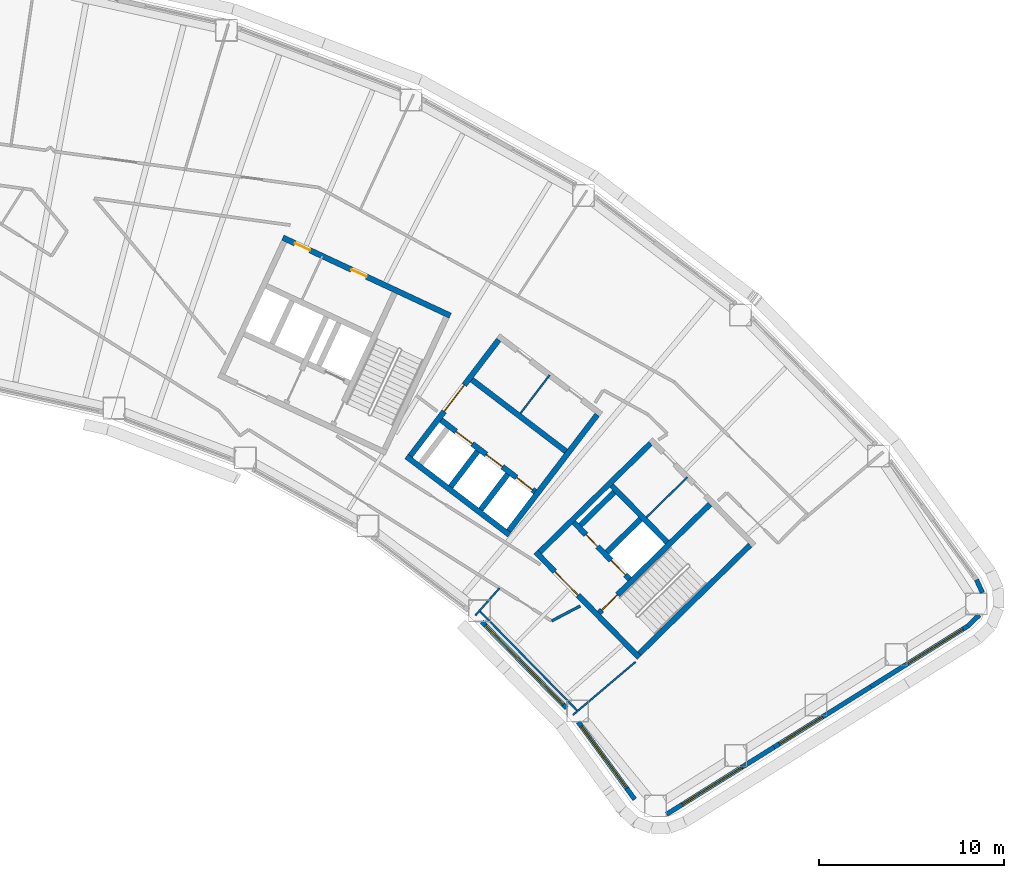
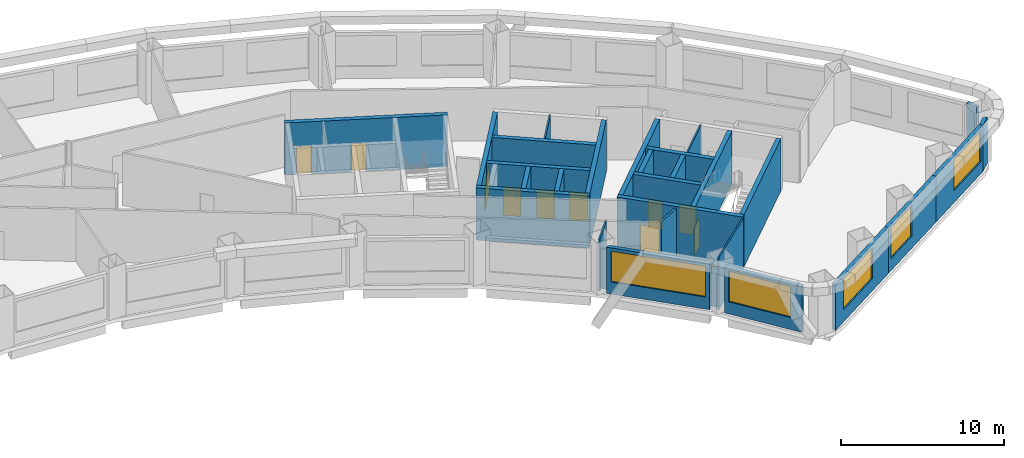
# One storey, part 6 of 10: 29 walls, 10 doors, 5 windows, 15 openings.
"""IFC4 building model written with IfcOpenShell, lengths in metres."""

from ifc_helpers import new_model, si_unit, direction, frame, frame_2d, origin, place, context, subcontext, project, spatial, rectangle, extrude, material, layer, layer_set, type_object, element, fill, save


model = new_model("IFC4")

# Units and contexts
model_context = context("Model", 3, precision=1e-05, world=origin(), true_north=direction((0.0, 1.0)))
body_context = subcontext(model_context, "Body", "Model", "MODEL_VIEW")
ifc_project = project(units=[si_unit("LENGTHUNIT", "METRE"), si_unit("AREAUNIT", "SQUARE_METRE"), si_unit("VOLUMEUNIT", "CUBIC_METRE"), si_unit("PLANEANGLEUNIT", "RADIAN"), si_unit("MASSUNIT", "GRAM", prefix="KILO")], contexts=[model_context])

# Site, building, storey
site_placement = place(None, origin())
site = spatial("IfcSite", under=ifc_project, at=site_placement, CompositionType="ELEMENT")
building_placement = place(site_placement, origin())
building = spatial("IfcBuilding", under=site, at=building_placement, Name="Tuul Gate Civic Tower", CompositionType="ELEMENT")
storey_placement = place(building_placement, frame((0.0, 0.0, 86.39990234375)))
storey = spatial("IfcBuildingStorey", under=building, at=storey_placement, Name="Level 19", CompositionType="ELEMENT", Elevation=86.39990234375)

# Wall, opening, door
ifc_material_1 = material(Name="Concrete C50/60", Category="concrete")
ifc_layer_1 = layer(ifc_material_1, 0.300048828125)
ifc_layer_set_1 = layer_set([ifc_layer_1], Name="Concrete C50/60")
wall_type_1 = type_object("IfcWallType", Name="Core wall C50/60", PredefinedType="SHEAR", material=ifc_layer_set_1)
wall_1_placement = place(storey_placement, frame((48.22509765625, -18.327880859375, 0.0), z_axis=(0.0, 0.0, 1.0), x_axis=(-0.700021979774, 0.714121297703, 0.0)))
wall_1 = element("IfcWall", 1, at=wall_1_placement, inside=storey, type_object=wall_type_1, Name="Core wall", PredefinedType="SHEAR", context=body_context, shape_type="SweptSolid", body=[
    extrude(rectangle(XDim=8.0, YDim=0.300048828125, at=frame_2d((4.0, 0.0))), origin(), (0.0, 0.0, 1.0), 3.900146484375),
])
opening_1_placement = place(wall_1_placement, frame((4.72509765625, 0.0, 0.0)))
opening_1 = element("IfcOpeningElement", 2, at=opening_1_placement, cuts=wall_1, Name="Opening LB-E1-LOBBY-1", PredefinedType="OPENING", context=body_context, shape_type="SweptSolid", body=[
    extrude(rectangle(XDim=1.800048828125, YDim=2.10009765625, at=frame_2d((0.89990234375, 1.050048828125))), frame((0.0, 0.16015625, 0.0), z_axis=(0.0, -1.0, 0.0), x_axis=(1.0, 0.0, 0.0)), (0.0, 0.0, 1.0), 0.320068359375),
])
ifc_material_2 = material(Name="Steel", Category="steel")
door_type_1 = type_object("IfcDoorType", Name="Lobby door", OperationType="DOUBLE_DOOR_SINGLE_SWING", PredefinedType="DOOR", material=ifc_material_2)
door_1_placement = place(opening_1_placement, frame((1.800048828125, 0.0, 0.0), z_axis=(0.0, 0.0, 1.0), x_axis=(-1.0, 0.0, 0.0)))
door_1 = element("IfcDoor", 3, at=door_1_placement, inside=storey, type_object=door_type_1, Name="Lobby door E1-LOBBY", OperationType="DOUBLE_DOOR_SINGLE_SWING", OverallHeight=2.10009765625, OverallWidth=1.800048828125, PredefinedType="DOOR", context=body_context, shape_type="SweptSolid", body=[
    extrude(rectangle(XDim=1.800048828125, YDim=2.10009765625, at=frame_2d((0.900146484375, 1.050048828125))), frame((0.0, 0.02490234375, 0.0), z_axis=(0.0, -1.0, 0.0), x_axis=(1.0, 0.0, 0.0)), (0.0, 0.0, 1.0), 0.050048828125),
])
fill(opening_1, door_1)

# Wall, openings, doors
wall_2_placement = place(storey_placement, frame((47.701904296875, -14.079833984375, 0.0), z_axis=(0.0, 0.0, 1.0), x_axis=(-0.700002721075, 0.714140175657, 0.0)))
wall_2 = element("IfcWall", 4, at=wall_2_placement, inside=storey, type_object=wall_type_1, Name="Core wall", PredefinedType="SHEAR", context=body_context, shape_type="SweptSolid", body=[
    extrude(rectangle(XDim=4.300048828125, YDim=0.300048828125, at=frame_2d((2.14990234375, 0.0))), origin(), (0.0, 0.0, 1.0), 3.900146484375),
])
opening_2_placement = place(wall_2_placement, frame((0.324951171875, 0.0, 0.0)))
opening_2 = element("IfcOpeningElement", 5, at=opening_2_placement, cuts=wall_2, Name="Opening LD-L4", PredefinedType="OPENING", context=body_context, shape_type="SweptSolid", body=[
    extrude(rectangle(XDim=1.10009765625, YDim=2.10009765625, at=frame_2d((0.550048828125, 1.050048828125))), frame((0.0, 0.16015625, 0.0), z_axis=(0.0, -1.0, 0.0), x_axis=(1.0, 0.0, 0.0)), (0.0, 0.0, 1.0), 0.320068359375),
])
opening_3_placement = place(wall_2_placement, frame((2.47509765625, 0.0, 0.0)))
opening_3 = element("IfcOpeningElement", 6, at=opening_3_placement, cuts=wall_2, Name="Opening FB-E1A2", PredefinedType="OPENING", context=body_context, shape_type="SweptSolid", body=[
    extrude(rectangle(XDim=0.89990234375, YDim=2.10009765625, at=frame_2d((0.449951171875, 1.050048828125))), frame((0.0, 0.16015625, 0.0), z_axis=(0.0, -1.0, 0.0), x_axis=(1.0, 0.0, 0.0)), (0.0, 0.0, 1.0), 0.320068359375),
])
ifc_material_3 = material(Name="Stainless steel", Category="steel")
door_type_2 = type_object("IfcDoorType", Name="Landing door", OperationType="DOUBLE_DOOR_SLIDING", PredefinedType="DOOR", material=ifc_material_3)
door_2_placement = place(opening_2_placement, origin())
door_2 = element("IfcDoor", 7, at=door_2_placement, inside=storey, type_object=door_type_2, Name="Low-rise lift L4 landing door", OperationType="DOUBLE_DOOR_SLIDING", OverallHeight=2.10009765625, OverallWidth=1.10009765625, PredefinedType="DOOR", context=body_context, shape_type="SweptSolid", body=[
    extrude(rectangle(XDim=1.10009765625, YDim=2.10009765625, at=frame_2d((0.550048828125, 1.050048828125))), frame((0.0, 0.02490234375, 0.0), z_axis=(0.0, -1.0, 0.0), x_axis=(1.0, 0.0, 0.0)), (0.0, 0.0, 1.0), 0.050048828125),
])
fill(opening_2, door_2)
ifc_material_4 = material(Name="Steel", Category="steel")
door_type_3 = type_object("IfcDoorType", Name="Store door", OperationType="NOTDEFINED", PredefinedType="DOOR", material=ifc_material_4)
door_3_placement = place(opening_3_placement, frame((0.89990234375, 0.0, 0.0), z_axis=(0.0, 0.0, 1.0), x_axis=(-1.0, 0.0, 0.0)))
door_3 = element("IfcDoor", 8, at=door_3_placement, inside=storey, type_object=door_type_3, Name="Store door E1A2", OperationType="SINGLE_SWING_LEFT", OverallHeight=2.10009765625, OverallWidth=0.89990234375, PredefinedType="DOOR", context=body_context, shape_type="SweptSolid", body=[
    extrude(rectangle(XDim=0.89990234375, YDim=2.10009765625, at=frame_2d((0.449951171875, 1.050048828125))), frame((0.0, 0.02490234375, 0.0), z_axis=(0.0, -1.0, 0.0), x_axis=(1.0, 0.0, 0.0)), (0.0, 0.0, 1.0), 0.050048828125),
])
fill(opening_3, door_3)

# Walls
wall_3_placement = place(storey_placement, frame((49.737060546875, -12.0849609375, 0.0), z_axis=(0.0, 0.0, 1.0), x_axis=(-0.700002721075, 0.714140175657, 0.0)))
element("IfcWall", 9, at=wall_3_placement, inside=storey, type_object=wall_type_1, Name="Core wall", PredefinedType="SHEAR", context=body_context, shape_type="SweptSolid", body=[
    extrude(rectangle(XDim=4.300048828125, YDim=0.300048828125, at=frame_2d((2.14990234375, 0.0))), origin(), (0.0, 0.0, 1.0), 3.900146484375),
])
wall_4_placement = place(storey_placement, frame((48.227294921875, -18.115966796875, 0.0), z_axis=(0.0, 0.0, 1.0), x_axis=(0.714105315431, 0.700038283577, 0.0)))
element("IfcWall", 10, at=wall_4_placement, inside=storey, type_object=wall_type_1, Name="Core wall", PredefinedType="SHEAR", context=body_context, shape_type="SweptSolid", body=[
    extrude(rectangle(XDim=8.400146484375, YDim=0.300048828125, at=frame_2d((4.2001953125, 0.0))), origin(), (0.0, 0.0, 1.0), 3.900146484375),
])

# Wall, opening, door
wall_5_placement = place(storey_placement, frame((46.05712890625, -15.902099609375, 0.0), z_axis=(0.0, 0.0, 1.0), x_axis=(0.714134086973, 0.700008932674, 0.0)))
wall_5 = element("IfcWall", 11, at=wall_5_placement, inside=storey, type_object=wall_type_1, Name="Core wall", PredefinedType="SHEAR", context=body_context, shape_type="SweptSolid", body=[
    extrude(rectangle(XDim=8.400146484375, YDim=0.300048828125, at=frame_2d((4.2001953125, 0.0))), origin(), (0.0, 0.0, 1.0), 3.900146484375),
])
opening_4_placement = place(wall_5_placement, frame((0.199951171875, 0.0, 0.0)))
opening_4 = element("IfcOpeningElement", 12, at=opening_4_placement, cuts=wall_5, Name="Opening SD-ST-3", PredefinedType="OPENING", context=body_context, shape_type="SweptSolid", body=[
    extrude(rectangle(XDim=1.199951171875, YDim=2.10009765625, at=frame_2d((0.60009765625, 1.050048828125))), frame((0.0, 0.16015625, 0.0), z_axis=(0.0, -1.0, 0.0), x_axis=(1.0, 0.0, 0.0)), (0.0, 0.0, 1.0), 0.320068359375),
])
ifc_material_5 = material(Name="Steel", Category="steel")
door_type_4 = type_object("IfcDoorType", Name="Stair door", OperationType="NOTDEFINED", PredefinedType="DOOR", material=ifc_material_5)
door_4_placement = place(opening_4_placement, origin())
door_4 = element("IfcDoor", 13, at=door_4_placement, inside=storey, type_object=door_type_4, Name="Stair door ST-3", OperationType="SINGLE_SWING_LEFT", OverallHeight=2.10009765625, OverallWidth=1.199951171875, PredefinedType="DOOR", context=body_context, shape_type="SweptSolid", body=[
    extrude(rectangle(XDim=1.199951171875, YDim=2.10009765625, at=frame_2d((0.60009765625, 1.050048828125))), frame((0.0, 0.02490234375, 0.0), z_axis=(0.0, -1.0, 0.0), x_axis=(1.0, 0.0, 0.0)), (0.0, 0.0, 1.0), 0.050048828125),
])
fill(opening_4, door_4)

# Walls
wall_6_placement = place(storey_placement, frame((46.47900390625, -12.617919921875, 0.0), z_axis=(0.0, 0.0, 1.0), x_axis=(0.71410944159, 0.700034074479, 0.0)))
element("IfcWall", 14, at=wall_6_placement, inside=storey, type_object=wall_type_1, Name="Core wall", PredefinedType="SHEAR", context=body_context, shape_type="SweptSolid", body=[
    extrude(rectangle(XDim=2.5498046875, YDim=0.300048828125, at=frame_2d((1.27490234375, 0.0))), origin(), (0.0, 0.0, 1.0), 3.900146484375),
])
wall_7_placement = place(storey_placement, frame((45.0439453125, -11.154052734375, 0.0), z_axis=(0.0, 0.0, 1.0), x_axis=(0.714108498262, 0.700035036773, 0.0)))
element("IfcWall", 15, at=wall_7_placement, inside=storey, type_object=wall_type_1, Name="Core wall", PredefinedType="SHEAR", context=body_context, shape_type="SweptSolid", body=[
    extrude(rectangle(XDim=2.550048828125, YDim=0.300048828125, at=frame_2d((1.27490234375, 0.0))), origin(), (0.0, 0.0, 1.0), 3.900146484375),
])
wall_8_placement = place(storey_placement, frame((42.837158203125, -12.616943359375, 0.0), z_axis=(0.0, 0.0, 1.0), x_axis=(0.714119844755, 0.700023461983, 0.0)))
element("IfcWall", 16, at=wall_8_placement, inside=storey, type_object=wall_type_1, Name="Core wall", PredefinedType="SHEAR", context=body_context, shape_type="SweptSolid", body=[
    extrude(rectangle(XDim=8.39990234375, YDim=0.300048828125, at=frame_2d((4.199951171875, 0.0))), origin(), (0.0, 0.0, 1.0), 3.900146484375),
])

# Wall, openings, doors
wall_9_placement = place(storey_placement, frame((37.993408203125, 0.181884765625, 0.0), z_axis=(0.0, 0.0, 1.0), x_axis=(-0.906310338845, 0.422612789327, 0.0)))
wall_9 = element("IfcWall", 17, at=wall_9_placement, inside=storey, type_object=wall_type_1, Name="Core wall", PredefinedType="SHEAR", context=body_context, shape_type="SweptSolid", body=[
    extrude(rectangle(XDim=9.999755859375, YDim=0.300048828125, at=frame_2d((5.0, 0.0))), origin(), (0.0, 0.0, 1.0), 3.900146484375),
])
opening_5_placement = place(wall_9_placement, frame((4.99365234375, 0.0, 0.0)))
opening_5 = element("IfcOpeningElement", 18, at=opening_5_placement, cuts=wall_9, Name="Opening F-D31", PredefinedType="OPENING", context=body_context, shape_type="SweptSolid", body=[
    extrude(rectangle(XDim=0.89990234375, YDim=2.10009765625, at=frame_2d((0.449951171875, 1.050048828125))), frame((0.0, 0.16015625, 0.0), z_axis=(0.0, -1.0, 0.0), x_axis=(1.0, 0.0, 0.0)), (0.0, 0.0, 1.0), 0.320068359375),
])
opening_6_placement = place(wall_9_placement, frame((8.368896484375, 0.0, 0.0)))
opening_6 = element("IfcOpeningElement", 19, at=opening_6_placement, cuts=wall_9, Name="Opening F-D32", PredefinedType="OPENING", context=body_context, shape_type="SweptSolid", body=[
    extrude(rectangle(XDim=0.89990234375, YDim=2.10009765625, at=frame_2d((0.449951171875, 1.050048828125))), frame((0.0, 0.16015625, 0.0), z_axis=(0.0, -1.0, 0.0), x_axis=(1.0, 0.0, 0.0)), (0.0, 0.0, 1.0), 0.320068359375),
])
ifc_material_6 = material(Name="Timber door leaf", Category="wood")
door_type_5 = type_object("IfcDoorType", Name="Door D09", OperationType="NOTDEFINED", PredefinedType="DOOR", material=ifc_material_6)
door_5_placement = place(opening_5_placement, origin())
door_5 = element("IfcDoor", 20, at=door_5_placement, inside=storey, type_object=door_type_5, Name="Door F-D31", OperationType="SINGLE_SWING_LEFT", OverallHeight=2.10009765625, OverallWidth=0.89990234375, PredefinedType="DOOR", context=body_context, shape_type="SweptSolid", body=[
    extrude(rectangle(XDim=0.89990234375, YDim=2.10009765625, at=frame_2d((0.449951171875, 1.050048828125))), frame((0.0, 0.02490234375, 0.0), z_axis=(0.0, -1.0, 0.0), x_axis=(1.0, 0.0, 0.0)), (0.0, 0.0, 1.0), 0.050048828125),
])
fill(opening_5, door_5)
door_6_placement = place(opening_6_placement, origin())
door_6 = element("IfcDoor", 21, at=door_6_placement, inside=storey, type_object=door_type_5, Name="Door F-D32", OperationType="SINGLE_SWING_RIGHT", OverallHeight=2.10009765625, OverallWidth=0.89990234375, PredefinedType="DOOR", context=body_context, shape_type="SweptSolid", body=[
    extrude(rectangle(XDim=0.89990234375, YDim=2.10009765625, at=frame_2d((0.449951171875, 1.050048828125))), frame((0.0, 0.02490234375, 0.0), z_axis=(0.0, -1.0, 0.0), x_axis=(1.0, 0.0, 0.0)), (0.0, 0.0, 1.0), 0.050048828125),
])
fill(opening_6, door_6)

# Walls
ifc_material_7 = material(Name="Gypsum board partition")
ifc_layer_2 = layer(ifc_material_7, 0.14990234375)
ifc_layer_set_2 = layer_set([ifc_layer_2], Name="Gypsum board partition")
wall_type_2 = type_object("IfcWallType", Name="Corridor wall P150", PredefinedType="PARTITIONING", material=ifc_layer_set_2)
wall_10_placement = place(storey_placement, frame((43.486328125, -16.343505859375, 0.0), z_axis=(0.0, 0.0, 1.0), x_axis=(0.885541573499, 0.464560137769, 0.0)))
element("IfcWall", 22, at=wall_10_placement, inside=storey, type_object=wall_type_2, Name="p038", PredefinedType="PARTITIONING", context=body_context, shape_type="SweptSolid", body=[
    extrude(rectangle(XDim=1.747802734375, YDim=0.14990234375, at=frame_2d((0.8740234375, 0.0))), origin(), (0.0, 0.0, 1.0), 3.900146484375),
])
ifc_material_8 = material(Name="Precast concrete C40/50", Category="concrete")
ifc_layer_3 = layer(ifc_material_8, 0.25)
ifc_layer_set_3 = layer_set([ifc_layer_3], Name="Precast concrete C40/50")
wall_type_3 = type_object("IfcWallType", Name="External wall", PredefinedType="STANDARD", material=ifc_layer_set_3)
wall_11_placement = place(storey_placement, frame((65.99853515625, -16.634765625, 0.0), z_axis=(0.0, 0.0, 1.0), x_axis=(0.722211506859, 0.691672277426, 0.0)))
element("IfcWall", 23, at=wall_11_placement, inside=storey, type_object=wall_type_3, Name="External wall", PredefinedType="STANDARD", context=body_context, shape_type="SweptSolid", body=[
    extrude(rectangle(XDim=0.887451171875, YDim=0.25, at=frame_2d((0.44384765625, 0.0))), origin(), (0.0, 0.0, 1.0), 3.4501953125),
])
wall_12_placement = place(storey_placement, frame((66.803955078125, -14.821044921875, 0.0), z_axis=(0.0, 0.0, 1.0), x_axis=(-0.412280175097, 0.911057109748, 0.0)))
element("IfcWall", 24, at=wall_12_placement, inside=storey, type_object=wall_type_3, Name="External wall", PredefinedType="STANDARD", context=body_context, shape_type="SweptSolid", body=[
    extrude(rectangle(XDim=0.7734375, YDim=0.25, at=frame_2d((0.38671875, 0.0))), origin(), (0.0, 0.0, 1.0), 3.4501953125),
])

# Wall, opening, window
wall_13_placement = place(storey_placement, frame((39.70703125, -16.39599609375, 0.0), z_axis=(0.0, 0.0, 1.0), x_axis=(0.700096771337, -0.714047975114, 0.0)))
wall_13 = element("IfcWall", 25, at=wall_13_placement, inside=storey, type_object=wall_type_3, Name="External wall", PredefinedType="STANDARD", context=body_context, shape_type="SweptSolid", body=[
    extrude(rectangle(XDim=6.544921875, YDim=0.25, at=frame_2d((3.2724609375, 0.0))), origin(), (0.0, 0.0, 1.0), 3.4501953125),
])
opening_7_placement = place(wall_13_placement, frame((0.27490234375, 0.0, 0.89990234375)))
opening_7 = element("IfcOpeningElement", 26, at=opening_7_placement, cuts=wall_13, Name="Opening W26", PredefinedType="OPENING", context=body_context, shape_type="SweptSolid", body=[
    extrude(rectangle(XDim=6.0, YDim=2.300048828125, at=frame_2d((3.0, 1.14990234375))), frame((0.0, 0.135009765625, 0.0), z_axis=(0.0, -1.0, 0.0), x_axis=(1.0, 0.0, 0.0)), (0.0, 0.0, 1.0), 0.27001953125),
])
ifc_material_9 = material(Name="Glass", Category="glass")
window_type_1 = type_object("IfcWindowType", Name="Window W26 6000 x 2300", PartitioningType="SINGLE_PANEL", PredefinedType="WINDOW", material=ifc_material_9)
window_1_placement = place(opening_7_placement, origin())
window_1 = element("IfcWindow", 27, at=window_1_placement, inside=storey, type_object=window_type_1, Name="Window", OverallHeight=2.300048828125, OverallWidth=6.0, PartitioningType="SINGLE_PANEL", PredefinedType="WINDOW", context=body_context, shape_type="SweptSolid", body=[
    extrude(rectangle(XDim=6.0, YDim=2.300048828125, at=frame_2d((3.0, 1.14990234375))), frame((0.0, 0.030029296875, 0.0), z_axis=(0.0, -1.0, 0.0), x_axis=(1.0, 0.0, 0.0)), (0.0, 0.0, 1.0), 0.06005859375),
])
fill(opening_7, window_1)

wall_14_placement = place(storey_placement, frame((44.925537109375, -21.818115234375, 0.0), z_axis=(0.0, 0.0, 1.0), x_axis=(0.589865366451, -0.807501609572, 0.0)))
wall_14 = element("IfcWall", 28, at=wall_14_placement, inside=storey, type_object=wall_type_3, Name="External wall", PredefinedType="STANDARD", context=body_context, shape_type="SweptSolid", body=[
    extrude(rectangle(XDim=5.181396484375, YDim=0.25, at=frame_2d((2.5908203125, 0.0))), origin(), (0.0, 0.0, 1.0), 3.4501953125),
])
opening_8_placement = place(wall_14_placement, frame((0.27880859375, 0.0, 0.89990234375)))
opening_8 = element("IfcOpeningElement", 29, at=opening_8_placement, cuts=wall_14, Name="Opening W25", PredefinedType="OPENING", context=body_context, shape_type="SweptSolid", body=[
    extrude(rectangle(XDim=4.14990234375, YDim=2.300048828125, at=frame_2d((2.074951171875, 1.14990234375))), frame((0.0, 0.135009765625, 0.0), z_axis=(0.0, -1.0, 0.0), x_axis=(1.0, 0.0, 0.0)), (0.0, 0.0, 1.0), 0.27001953125),
])
ifc_material_10 = material(Name="Glass", Category="glass")
window_type_2 = type_object("IfcWindowType", Name="Window W25 4150 x 2300", PartitioningType="SINGLE_PANEL", PredefinedType="WINDOW", material=ifc_material_10)
window_2_placement = place(opening_8_placement, origin())
window_2 = element("IfcWindow", 30, at=window_2_placement, inside=storey, type_object=window_type_2, Name="Window", OverallHeight=2.300048828125, OverallWidth=4.14990234375, PartitioningType="SINGLE_PANEL", PredefinedType="WINDOW", context=body_context, shape_type="SweptSolid", body=[
    extrude(rectangle(XDim=4.14990234375, YDim=2.300048828125, at=frame_2d((2.074951171875, 1.14990234375))), frame((0.0, 0.030029296875, 0.0), z_axis=(0.0, -1.0, 0.0), x_axis=(1.0, 0.0, 0.0)), (0.0, 0.0, 1.0), 0.06005859375),
])
fill(opening_8, window_2)

wall_15_placement = place(storey_placement, frame((49.708984375, -26.810302734375, 0.0), z_axis=(0.0, 0.0, 1.0), x_axis=(0.848044243862, 0.529925429144, 0.0)))
wall_15 = element("IfcWall", 31, at=wall_15_placement, inside=storey, type_object=wall_type_3, Name="External wall", PredefinedType="STANDARD", context=body_context, shape_type="SweptSolid", body=[
    extrude(rectangle(XDim=6.866455078125, YDim=0.25, at=frame_2d((3.43310546875, 0.0))), origin(), (0.0, 0.0, 1.0), 3.4501953125),
])
opening_9_placement = place(wall_15_placement, frame((1.0, 0.0, 0.89990234375)))
opening_9 = element("IfcOpeningElement", 32, at=opening_9_placement, cuts=wall_15, Name="Opening W100", PredefinedType="OPENING", context=body_context, shape_type="SweptSolid", body=[
    extrude(rectangle(XDim=3.800048828125, YDim=2.300048828125, at=frame_2d((1.89990234375, 1.14990234375))), frame((0.0, 0.135009765625, 0.0), z_axis=(0.0, -1.0, 0.0), x_axis=(1.0, 0.0, 0.0)), (0.0, 0.0, 1.0), 0.27001953125),
])
ifc_material_11 = material(Name="Glass", Category="glass")
window_type_3 = type_object("IfcWindowType", Name="Window W100 3800 x 2300", PartitioningType="SINGLE_PANEL", PredefinedType="WINDOW", material=ifc_material_11)
window_3_placement = place(opening_9_placement, origin())
window_3 = element("IfcWindow", 33, at=window_3_placement, inside=storey, type_object=window_type_3, Name="Window", OverallHeight=2.300048828125, OverallWidth=3.800048828125, PartitioningType="SINGLE_PANEL", PredefinedType="WINDOW", context=body_context, shape_type="SweptSolid", body=[
    extrude(rectangle(XDim=3.800048828125, YDim=2.300048828125, at=frame_2d((1.89990234375, 1.14990234375))), frame((0.0, 0.030029296875, 0.0), z_axis=(0.0, -1.0, 0.0), x_axis=(1.0, 0.0, 0.0)), (0.0, 0.0, 1.0), 0.06005859375),
])
fill(opening_9, window_3)

wall_16_placement = place(storey_placement, frame((55.531982421875, -23.171630859375, 0.0), z_axis=(0.0, 0.0, 1.0), x_axis=(0.848053758074, 0.529910203164, 0.0)))
wall_16 = element("IfcWall", 34, at=wall_16_placement, inside=storey, type_object=wall_type_3, Name="External wall", PredefinedType="STANDARD", context=body_context, shape_type="SweptSolid", body=[
    extrude(rectangle(XDim=6.182861328125, YDim=0.25, at=frame_2d((3.09130859375, 0.0))), origin(), (0.0, 0.0, 1.0), 3.4501953125),
])
opening_10_placement = place(wall_16_placement, frame((0.330078125, 0.0, 0.89990234375)))
opening_10 = element("IfcOpeningElement", 35, at=opening_10_placement, cuts=wall_16, Name="Opening W30", PredefinedType="OPENING", context=body_context, shape_type="SweptSolid", body=[
    extrude(rectangle(XDim=2.75, YDim=2.300048828125, at=frame_2d((1.375, 1.14990234375))), frame((0.0, 0.135009765625, 0.0), z_axis=(0.0, -1.0, 0.0), x_axis=(1.0, 0.0, 0.0)), (0.0, 0.0, 1.0), 0.27001953125),
])
ifc_material_12 = material(Name="Glass", Category="glass")
window_type_4 = type_object("IfcWindowType", Name="Window 2750 x 2300", PartitioningType="SINGLE_PANEL", PredefinedType="WINDOW", material=ifc_material_12)
window_4_placement = place(opening_10_placement, origin())
window_4 = element("IfcWindow", 36, at=window_4_placement, inside=storey, type_object=window_type_4, Name="Window", OverallHeight=2.300048828125, OverallWidth=2.75, PartitioningType="SINGLE_PANEL", PredefinedType="WINDOW", context=body_context, shape_type="SweptSolid", body=[
    extrude(rectangle(XDim=2.75, YDim=2.300048828125, at=frame_2d((1.375, 1.14990234375))), frame((0.0, 0.030029296875, 0.0), z_axis=(0.0, -1.0, 0.0), x_axis=(1.0, 0.0, 0.0)), (0.0, 0.0, 1.0), 0.06005859375),
])
fill(opening_10, window_4)

wall_17_placement = place(storey_placement, frame((60.775390625, -19.895263671875, 0.0), z_axis=(0.0, 0.0, 1.0), x_axis=(0.848053758074, 0.529910203164, 0.0)))
wall_17 = element("IfcWall", 37, at=wall_17_placement, inside=storey, type_object=wall_type_3, Name="External wall", PredefinedType="STANDARD", context=body_context, shape_type="SweptSolid", body=[
    extrude(rectangle(XDim=6.182861328125, YDim=0.25, at=frame_2d((3.09130859375, 0.0))), origin(), (0.0, 0.0, 1.0), 3.4501953125),
])
opening_11_placement = place(wall_17_placement, frame((2.364013671875, 0.0, 0.89990234375)))
opening_11 = element("IfcOpeningElement", 38, at=opening_11_placement, cuts=wall_17, Name="Opening W74", PredefinedType="OPENING", context=body_context, shape_type="SweptSolid", body=[
    extrude(rectangle(XDim=3.5, YDim=2.300048828125, at=frame_2d((1.75, 1.14990234375))), frame((0.0, 0.135009765625, 0.0), z_axis=(0.0, -1.0, 0.0), x_axis=(1.0, 0.0, 0.0)), (0.0, 0.0, 1.0), 0.27001953125),
])
ifc_material_13 = material(Name="Glass", Category="glass")
window_type_5 = type_object("IfcWindowType", Name="Window 3500 x 2300", PartitioningType="SINGLE_PANEL", PredefinedType="WINDOW", material=ifc_material_13)
window_5_placement = place(opening_11_placement, origin())
window_5 = element("IfcWindow", 39, at=window_5_placement, inside=storey, type_object=window_type_5, Name="Window", OverallHeight=2.300048828125, OverallWidth=3.5, PartitioningType="SINGLE_PANEL", PredefinedType="WINDOW", context=body_context, shape_type="SweptSolid", body=[
    extrude(rectangle(XDim=3.5, YDim=2.300048828125, at=frame_2d((1.75, 1.14990234375))), frame((0.0, 0.030029296875, 0.0), z_axis=(0.0, -1.0, 0.0), x_axis=(1.0, 0.0, 0.0)), (0.0, 0.0, 1.0), 0.06005859375),
])
fill(opening_11, window_5)

# Wall
ifc_material_14 = material(Name="Concrete C40/50", Category="concrete")
ifc_layer_4 = layer(ifc_material_14, 0.300048828125)
ifc_layer_set_4 = layer_set([ifc_layer_4], Name="Concrete C40/50")
wall_type_4 = type_object("IfcWallType", Name="Lift shaft wall C40/50", PredefinedType="STANDARD", material=ifc_layer_set_4)
wall_18_placement = place(storey_placement, frame((41.19189453125, -11.677734375, 0.0), z_axis=(0.0, 0.0, 1.0), x_axis=(-0.795563000331, 0.605870871147, 0.0)))
element("IfcWall", 40, at=wall_18_placement, inside=storey, type_object=wall_type_4, Name="Shaft wall", PredefinedType="STANDARD", context=body_context, shape_type="SweptSolid", body=[
    extrude(rectangle(XDim=7.000244140625, YDim=0.300048828125, at=frame_2d((3.5, 0.0))), origin(), (0.0, 0.0, 1.0), 3.900146484375),
])

# Wall, openings, doors
wall_19_placement = place(storey_placement, frame((42.5888671875, -9.34765625, 0.0), z_axis=(0.0, 0.0, 1.0), x_axis=(-0.795584062101, 0.605843214149, 0.0)))
wall_19 = element("IfcWall", 41, at=wall_19_placement, inside=storey, type_object=wall_type_4, Name="Shaft wall", PredefinedType="STANDARD", context=body_context, shape_type="SweptSolid", body=[
    extrude(rectangle(XDim=6.400146484375, YDim=0.300048828125, at=frame_2d((3.2001953125, 0.0))), origin(), (0.0, 0.0, 1.0), 3.900146484375),
])
opening_12_placement = place(wall_19_placement, frame((0.175048828125, 0.0, 0.0)))
opening_12 = element("IfcOpeningElement", 42, at=opening_12_placement, cuts=wall_19, Name="Opening LD-L1", PredefinedType="OPENING", context=body_context, shape_type="SweptSolid", body=[
    extrude(rectangle(XDim=1.10009765625, YDim=2.10009765625, at=frame_2d((0.550048828125, 1.050048828125))), frame((0.0, 0.16015625, 0.0), z_axis=(0.0, -1.0, 0.0), x_axis=(1.0, 0.0, 0.0)), (0.0, 0.0, 1.0), 0.320068359375),
])
opening_13_placement = place(wall_19_placement, frame((2.22509765625, 0.0, 0.0)))
opening_13 = element("IfcOpeningElement", 43, at=opening_13_placement, cuts=wall_19, Name="Opening LD-L2", PredefinedType="OPENING", context=body_context, shape_type="SweptSolid", body=[
    extrude(rectangle(XDim=1.10009765625, YDim=2.10009765625, at=frame_2d((0.550048828125, 1.050048828125))), frame((0.0, 0.16015625, 0.0), z_axis=(0.0, -1.0, 0.0), x_axis=(1.0, 0.0, 0.0)), (0.0, 0.0, 1.0), 0.320068359375),
])
opening_14_placement = place(wall_19_placement, frame((4.27490234375, 0.0, 0.0)))
opening_14 = element("IfcOpeningElement", 44, at=opening_14_placement, cuts=wall_19, Name="Opening LD-L3", PredefinedType="OPENING", context=body_context, shape_type="SweptSolid", body=[
    extrude(rectangle(XDim=1.10009765625, YDim=2.10009765625, at=frame_2d((0.550048828125, 1.050048828125))), frame((0.0, 0.16015625, 0.0), z_axis=(0.0, -1.0, 0.0), x_axis=(1.0, 0.0, 0.0)), (0.0, 0.0, 1.0), 0.320068359375),
])
door_7_placement = place(opening_12_placement, origin())
door_7 = element("IfcDoor", 45, at=door_7_placement, inside=storey, type_object=door_type_2, Name="Low-rise lift L1 landing door", OperationType="DOUBLE_DOOR_SLIDING", OverallHeight=2.10009765625, OverallWidth=1.10009765625, PredefinedType="DOOR", context=body_context, shape_type="SweptSolid", body=[
    extrude(rectangle(XDim=1.10009765625, YDim=2.10009765625, at=frame_2d((0.550048828125, 1.050048828125))), frame((0.0, 0.02490234375, 0.0), z_axis=(0.0, -1.0, 0.0), x_axis=(1.0, 0.0, 0.0)), (0.0, 0.0, 1.0), 0.050048828125),
])
fill(opening_12, door_7)
door_8_placement = place(opening_13_placement, origin())
door_8 = element("IfcDoor", 46, at=door_8_placement, inside=storey, type_object=door_type_2, Name="Low-rise lift L2 landing door", OperationType="DOUBLE_DOOR_SLIDING", OverallHeight=2.10009765625, OverallWidth=1.10009765625, PredefinedType="DOOR", context=body_context, shape_type="SweptSolid", body=[
    extrude(rectangle(XDim=1.10009765625, YDim=2.10009765625, at=frame_2d((0.550048828125, 1.050048828125))), frame((0.0, 0.02490234375, 0.0), z_axis=(0.0, -1.0, 0.0), x_axis=(1.0, 0.0, 0.0)), (0.0, 0.0, 1.0), 0.050048828125),
])
fill(opening_13, door_8)
door_9_placement = place(opening_14_placement, origin())
door_9 = element("IfcDoor", 47, at=door_9_placement, inside=storey, type_object=door_type_2, Name="Low-rise lift L3 landing door", OperationType="DOUBLE_DOOR_SLIDING", OverallHeight=2.10009765625, OverallWidth=1.10009765625, PredefinedType="DOOR", context=body_context, shape_type="SweptSolid", body=[
    extrude(rectangle(XDim=1.10009765625, YDim=2.10009765625, at=frame_2d((0.550048828125, 1.050048828125))), frame((0.0, 0.02490234375, 0.0), z_axis=(0.0, -1.0, 0.0), x_axis=(1.0, 0.0, 0.0)), (0.0, 0.0, 1.0), 0.050048828125),
])
fill(opening_14, door_9)

# Walls
wall_20_placement = place(storey_placement, frame((44.254638671875, -7.15966796875, 0.0), z_axis=(0.0, 0.0, 1.0), x_axis=(-0.795565675562, 0.605867358312, 0.0)))
element("IfcWall", 48, at=wall_20_placement, inside=storey, type_object=wall_type_4, Name="Shaft wall", PredefinedType="STANDARD", context=body_context, shape_type="SweptSolid", body=[
    extrude(rectangle(XDim=6.400146484375, YDim=0.300048828125, at=frame_2d((3.2001953125, 0.0))), origin(), (0.0, 0.0, 1.0), 3.900146484375),
])
wall_21_placement = place(storey_placement, frame((41.163330078125, -11.46728515625, 0.0), z_axis=(0.0, 0.0, 1.0), x_axis=(0.605784332699, 0.795628897324, 0.0)))
element("IfcWall", 49, at=wall_21_placement, inside=storey, type_object=wall_type_4, Name="Shaft wall", PredefinedType="STANDARD", context=body_context, shape_type="SweptSolid", body=[
    extrude(rectangle(XDim=7.89990234375, YDim=0.300048828125, at=frame_2d((3.949951171875, 0.0))), origin(), (0.0, 0.0, 1.0), 3.900146484375),
])
wall_22_placement = place(storey_placement, frame((39.65185546875, -10.31640625, 0.0), z_axis=(0.0, 0.0, 1.0), x_axis=(0.605745892068, 0.79565816419, 0.0)))
element("IfcWall", 50, at=wall_22_placement, inside=storey, type_object=wall_type_4, Name="Shaft wall", PredefinedType="STANDARD", context=body_context, shape_type="SweptSolid", body=[
    extrude(rectangle(XDim=2.400146484375, YDim=0.300048828125, at=frame_2d((1.2001953125, 0.0))), origin(), (0.0, 0.0, 1.0), 3.900146484375),
])
wall_23_placement = place(storey_placement, frame((38.02099609375, -9.07421875, 0.0), z_axis=(0.0, 0.0, 1.0), x_axis=(0.605730519254, 0.795669867498, 0.0)))
element("IfcWall", 51, at=wall_23_placement, inside=storey, type_object=wall_type_4, Name="Shaft wall", PredefinedType="STANDARD", context=body_context, shape_type="SweptSolid", body=[
    extrude(rectangle(XDim=2.399658203125, YDim=0.300048828125, at=frame_2d((1.19970703125, 0.0))), origin(), (0.0, 0.0, 1.0), 3.900146484375),
])

# Wall, opening, door
wall_24_placement = place(storey_placement, frame((35.8330078125, -7.408203125, 0.0), z_axis=(0.0, 0.0, 1.0), x_axis=(0.605769437763, 0.795640237967, 0.0)))
wall_24 = element("IfcWall", 52, at=wall_24_placement, inside=storey, type_object=wall_type_4, Name="Shaft wall", PredefinedType="STANDARD", context=body_context, shape_type="SweptSolid", body=[
    extrude(rectangle(XDim=7.900146484375, YDim=0.300048828125, at=frame_2d((3.9501953125, 0.0))), origin(), (0.0, 0.0, 1.0), 3.900146484375),
])
opening_15_placement = place(wall_24_placement, frame((3.02490234375, 0.0, 0.0)))
opening_15 = element("IfcOpeningElement", 53, at=opening_15_placement, cuts=wall_24, Name="Opening LB-E2-LOBBY-1", PredefinedType="OPENING", context=body_context, shape_type="SweptSolid", body=[
    extrude(rectangle(XDim=1.800048828125, YDim=2.10009765625, at=frame_2d((0.89990234375, 1.050048828125))), frame((0.0, 0.16015625, 0.0), z_axis=(0.0, -1.0, 0.0), x_axis=(1.0, 0.0, 0.0)), (0.0, 0.0, 1.0), 0.320068359375),
])
door_10_placement = place(opening_15_placement, frame((1.800048828125, 0.0, 0.0), z_axis=(0.0, 0.0, 1.0), x_axis=(-1.0, 0.0, 0.0)))
door_10 = element("IfcDoor", 54, at=door_10_placement, inside=storey, type_object=door_type_1, Name="Lobby door E2-LOBBY", OperationType="DOUBLE_DOOR_SINGLE_SWING", OverallHeight=2.10009765625, OverallWidth=1.800048828125, PredefinedType="DOOR", context=body_context, shape_type="SweptSolid", body=[
    extrude(rectangle(XDim=1.800048828125, YDim=2.10009765625, at=frame_2d((0.900146484375, 1.050048828125))), frame((0.0, 0.02490234375, 0.0), z_axis=(0.0, -1.0, 0.0), x_axis=(1.0, 0.0, 0.0)), (0.0, 0.0, 1.0), 0.050048828125),
])
fill(opening_15, door_10)

# Walls
ifc_material_15 = material(Name="Gypsum board partition")
ifc_layer_5 = layer(ifc_material_15, 0.10009765625)
ifc_layer_set_5 = layer_set([ifc_layer_5], Name="Gypsum board partition")
wall_type_5 = type_object("IfcWallType", Name="Partition P100", PredefinedType="PARTITIONING", material=ifc_layer_set_5)
wall_25_placement = place(storey_placement, frame((44.636962890625, -21.431396484375, 0.0), z_axis=(0.0, 0.0, 1.0), x_axis=(0.762857043272, 0.646567190267, 0.0)))
element("IfcWall", 55, at=wall_25_placement, inside=storey, type_object=wall_type_5, Name="p002", PredefinedType="PARTITIONING", context=body_context, shape_type="SweptSolid", body=[
    extrude(rectangle(XDim=4.446533203125, YDim=0.10009765625, at=frame_2d((2.22314453125, 0.0))), origin(), (0.0, 0.0, 1.0), 3.900146484375),
])
wall_26_placement = place(storey_placement, frame((39.355712890625, -16.044921875, 0.0), z_axis=(0.0, 0.0, 1.0), x_axis=(0.661601224759, 0.749855865748, 0.0)))
element("IfcWall", 56, at=wall_26_placement, inside=storey, type_object=wall_type_5, Name="p035", PredefinedType="PARTITIONING", context=body_context, shape_type="SweptSolid", body=[
    extrude(rectangle(XDim=1.97802734375, YDim=0.10009765625, at=frame_2d((0.989013671875, 0.0))), origin(), (0.0, 0.0, 1.0), 3.900146484375),
])
wall_27_placement = place(storey_placement, frame((41.799560546875, -5.1015625, 0.0), z_axis=(0.0, 0.0, 1.0), x_axis=(0.605768745095, 0.795640765337, 0.0)))
element("IfcWall", 57, at=wall_27_placement, inside=storey, type_object=wall_type_5, Name="bE2-BAND-0", PredefinedType="PARTITIONING", context=body_context, shape_type="SweptSolid", body=[
    extrude(rectangle(XDim=2.599853515625, YDim=0.10009765625, at=frame_2d((1.2998046875, 0.0))), origin(), (0.0, 0.0, 1.0), 3.900146484375),
])
wall_28_placement = place(storey_placement, frame((48.619140625, -10.72998046875, 0.0), z_axis=(0.0, 0.0, 1.0), x_axis=(0.714159293908, 0.699983216173, 0.0)))
element("IfcWall", 58, at=wall_28_placement, inside=storey, type_object=wall_type_5, Name="bE1-BAND-0", PredefinedType="PARTITIONING", context=body_context, shape_type="SweptSolid", body=[
    extrude(rectangle(XDim=3.099853515625, YDim=0.10009765625, at=frame_2d((1.5498046875, 0.0))), origin(), (0.0, 0.0, 1.0), 3.900146484375),
])
ifc_material_16 = material(Name="Gypsum board partition")
ifc_layer_6 = layer(ifc_material_16, 0.10009765625)
ifc_layer_set_6 = layer_set([ifc_layer_6], Name="Gypsum board partition")
wall_type_6 = type_object("IfcWallType", Name="Partition P100 3000 HIGH", PredefinedType="PARTITIONING", material=ifc_layer_set_6)
wall_29_placement = place(storey_placement, frame((44.88916015625, -21.21728515625, 0.0), z_axis=(0.0, 0.0, 1.0), x_axis=(-0.70007719872, 0.714067164791, 0.0)))
element("IfcWall", 59, at=wall_29_placement, inside=storey, type_object=wall_type_6, Name="p065", PredefinedType="PARTITIONING", context=body_context, shape_type="SweptSolid", body=[
    extrude(rectangle(XDim=7.59130859375, YDim=0.10009765625, at=frame_2d((3.795654296875, 0.0))), origin(), (0.0, 0.0, 1.0), 3.0),
])

save(model, "model.ifc")
